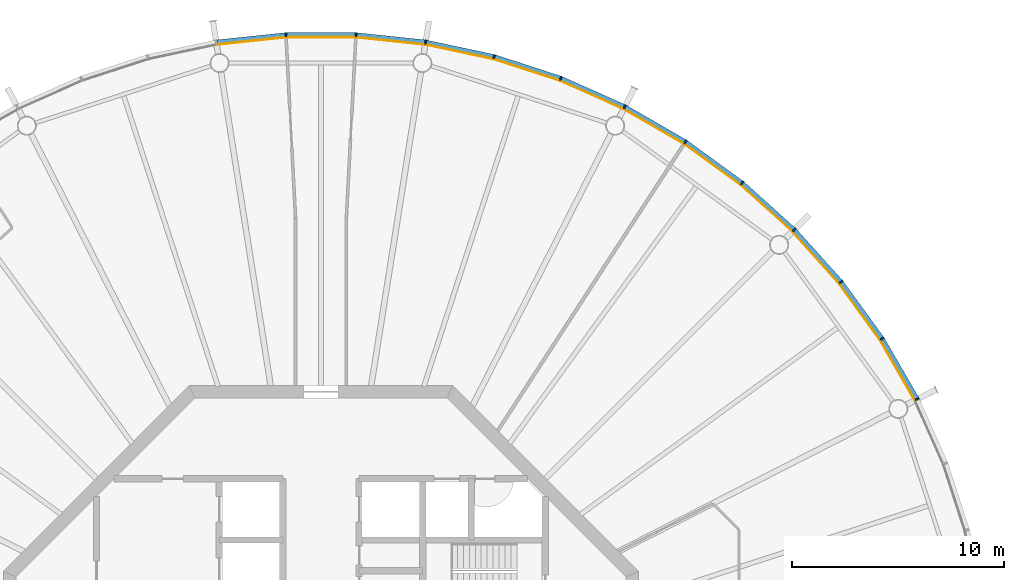
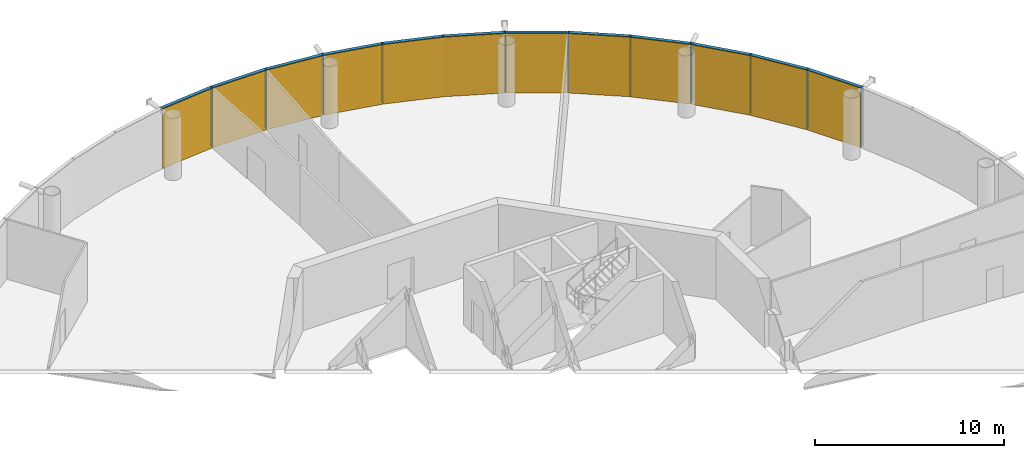
# One storey, part 17 of 18: 24 members, 4 curtain walls.
"""IFC4 building model written with IfcOpenShell, lengths in metres."""

from ifc_helpers import new_model, si_unit, direction, frame, origin, origin_2d, place, context, subcontext, project, spatial, polyline, rectangle, outline, extrude, material, layer, layer_set, material_profile, profile_set, type_object, element, aggregate, save


model = new_model("IFC4")

# Units and contexts
model_context = context("Model", 3, precision=1e-05, world=origin(), true_north=direction((0.0, 1.0)))
body_context = subcontext(model_context, "Body", "Model", "MODEL_VIEW")
ifc_project = project(units=[si_unit("LENGTHUNIT", "METRE"), si_unit("AREAUNIT", "SQUARE_METRE"), si_unit("VOLUMEUNIT", "CUBIC_METRE"), si_unit("PLANEANGLEUNIT", "RADIAN"), si_unit("MASSUNIT", "GRAM", prefix="KILO")], contexts=[model_context])

# Member
ifc_material_1 = material(Name="Anodised aluminium", Category="aluminium")
ifc_material_profile_1 = material_profile(ifc_material_1, rectangle(XDim=0.070068359375, YDim=0.205078125, at=origin_2d()), Name="Mullion 70 x 205 mm anodised aluminium")
ifc_profile_set_1 = profile_set([ifc_material_profile_1], Name="Anodised aluminium")
member_type_1 = type_object("IfcMemberType", Name="Mullion 70 x 205 mm anodised aluminium", PredefinedType="MULLION", material=ifc_profile_set_1)
site_placement = place(None, origin())
building_placement = place(site_placement, origin())
storey_placement = place(building_placement, frame((0.0, 0.0, 352.0)))
member_1_placement = place(storey_placement, frame((118.157958984375, 94.34716796875, 0.0), z_axis=(0.0, 0.0, 1.0), x_axis=(-0.45399049974, 0.891006524188, 0.0)))
member_1 = element("IfcMember", 1, at=member_1_placement, type_object=member_type_1, Name="MULLION L81-03", PredefinedType="MULLION", context=body_context, shape_type="SweptSolid", body=[
    extrude(rectangle(XDim=0.070068359375, YDim=0.205078125, at=origin_2d()), origin(), (0.0, 0.0, 1.0), 3.85009765625),
])

member_2_placement = place(storey_placement, frame((116.504150390625, 97.2119140625, 0.0), z_axis=(0.0, 0.0, 1.0), x_axis=(-0.544639035015, 0.838670567945, 0.0)))
member_2 = element("IfcMember", 2, at=member_2_placement, type_object=member_type_1, Name="MULLION L81-04", PredefinedType="MULLION", context=body_context, shape_type="SweptSolid", body=[
    extrude(rectangle(XDim=0.070068359375, YDim=0.205078125, at=origin_2d()), origin(), (0.0, 0.0, 1.0), 3.85009765625),
])

member_3_placement = place(storey_placement, frame((114.559814453125, 99.88818359375, 0.0), z_axis=(0.0, 0.0, 1.0), x_axis=(-0.62932039105, 0.777145961457, 0.0)))
member_3 = element("IfcMember", 3, at=member_3_placement, type_object=member_type_1, Name="MULLION L81-05", PredefinedType="MULLION", context=body_context, shape_type="SweptSolid", body=[
    extrude(rectangle(XDim=0.070068359375, YDim=0.205078125, at=origin_2d()), origin(), (0.0, 0.0, 1.0), 3.85009765625),
])

member_4_placement = place(storey_placement, frame((112.346435546875, 102.346435546875, 0.0), z_axis=(0.0, 0.0, 1.0), x_axis=(-0.707106781187, 0.707106781187, 0.0)))
member_4 = element("IfcMember", 4, at=member_4_placement, type_object=member_type_1, Name="MULLION L81-06", PredefinedType="MULLION", context=body_context, shape_type="SweptSolid", body=[
    extrude(rectangle(XDim=0.070068359375, YDim=0.205078125, at=origin_2d()), origin(), (0.0, 0.0, 1.0), 3.85009765625),
])

member_5_placement = place(storey_placement, frame((109.88818359375, 104.559814453125, 0.0), z_axis=(0.0, 0.0, 1.0), x_axis=(-0.777145961457, 0.62932039105, 0.0)))
member_5 = element("IfcMember", 5, at=member_5_placement, type_object=member_type_1, Name="MULLION L81-07", PredefinedType="MULLION", context=body_context, shape_type="SweptSolid", body=[
    extrude(rectangle(XDim=0.070068359375, YDim=0.205078125, at=origin_2d()), origin(), (0.0, 0.0, 1.0), 3.85009765625),
])

member_6_placement = place(storey_placement, frame((107.2119140625, 106.504150390625, 0.0), z_axis=(0.0, 0.0, 1.0), x_axis=(-0.838670567945, 0.544639035015, 0.0)))
member_6 = element("IfcMember", 6, at=member_6_placement, type_object=member_type_1, Name="MULLION L81-08", PredefinedType="MULLION", context=body_context, shape_type="SweptSolid", body=[
    extrude(rectangle(XDim=0.070068359375, YDim=0.205078125, at=origin_2d()), origin(), (0.0, 0.0, 1.0), 3.85009765625),
])

member_7_placement = place(storey_placement, frame((104.34716796875, 108.157958984375, 0.0), z_axis=(0.0, 0.0, 1.0), x_axis=(-0.891006524188, 0.45399049974, 0.0)))
member_7 = element("IfcMember", 7, at=member_7_placement, type_object=member_type_1, Name="MULLION L81-09", PredefinedType="MULLION", context=body_context, shape_type="SweptSolid", body=[
    extrude(rectangle(XDim=0.070068359375, YDim=0.205078125, at=origin_2d()), origin(), (0.0, 0.0, 1.0), 3.85009765625),
])

member_8_placement = place(storey_placement, frame((101.325439453125, 109.50341796875, 0.0), z_axis=(0.0, 0.0, 1.0), x_axis=(-0.933580426497, 0.358367949545, 0.0)))
member_8 = element("IfcMember", 8, at=member_8_placement, type_object=member_type_1, Name="MULLION L81-10", PredefinedType="MULLION", context=body_context, shape_type="SweptSolid", body=[
    extrude(rectangle(XDim=0.070068359375, YDim=0.205078125, at=origin_2d()), origin(), (0.0, 0.0, 1.0), 3.85009765625),
])

member_9_placement = place(storey_placement, frame((98.179443359375, 110.525634765625, 0.0), z_axis=(0.0, 0.0, 1.0), x_axis=(-0.965925826289, 0.258819045103, 0.0)))
member_9 = element("IfcMember", 9, at=member_9_placement, type_object=member_type_1, Name="MULLION L81-11", PredefinedType="MULLION", context=body_context, shape_type="SweptSolid", body=[
    extrude(rectangle(XDim=0.070068359375, YDim=0.205078125, at=origin_2d()), origin(), (0.0, 0.0, 1.0), 3.85009765625),
])

member_10_placement = place(storey_placement, frame((94.943603515625, 111.21337890625, 0.0), z_axis=(0.0, 0.0, 1.0), x_axis=(-0.987688340595, 0.15643446504, 0.0)))
member_10 = element("IfcMember", 10, at=member_10_placement, type_object=member_type_1, Name="MULLION L81-12", PredefinedType="MULLION", context=body_context, shape_type="SweptSolid", body=[
    extrude(rectangle(XDim=0.070068359375, YDim=0.205078125, at=origin_2d()), origin(), (0.0, 0.0, 1.0), 3.85009765625),
])

member_11_placement = place(storey_placement, frame((91.654052734375, 111.55908203125, 0.0), z_axis=(0.0, 0.0, 1.0), x_axis=(-0.998629534755, 0.052335956243, 0.0)))
member_11 = element("IfcMember", 11, at=member_11_placement, type_object=member_type_1, Name="MULLION L81-13", PredefinedType="MULLION", context=body_context, shape_type="SweptSolid", body=[
    extrude(rectangle(XDim=0.070068359375, YDim=0.205078125, at=origin_2d()), origin(), (0.0, 0.0, 1.0), 3.85009765625),
])

member_12_placement = place(storey_placement, frame((88.345947265625, 111.55908203125, 0.0), z_axis=(0.0, 0.0, 1.0), x_axis=(-0.998629534755, -0.052335956243, 0.0)))
member_12 = element("IfcMember", 12, at=member_12_placement, type_object=member_type_1, Name="MULLION L81-14", PredefinedType="MULLION", context=body_context, shape_type="SweptSolid", body=[
    extrude(rectangle(XDim=0.070068359375, YDim=0.205078125, at=origin_2d()), origin(), (0.0, 0.0, 1.0), 3.85009765625),
])

ifc_material_2 = material(Name="Anodised aluminium", Category="aluminium")
ifc_material_profile_2 = material_profile(ifc_material_2, rectangle(XDim=0.205078125, YDim=0.195068359375, at=origin_2d()), Name="Transom 195 x 205 mm anodised aluminium")
ifc_profile_set_2 = profile_set([ifc_material_profile_2], Name="Anodised aluminium")
member_type_2 = type_object("IfcMemberType", Name="Transom 195 x 205 mm anodised aluminium", PredefinedType="USERDEFINED", material=ifc_profile_set_2)
member_13_placement = place(storey_placement, frame((118.137939453125, 94.38232421875, 3.75244140625), z_axis=(-0.500004055213, 0.866023062494, 0.0), x_axis=(-0.866023062494, -0.500004055213, 0.0)))
member_13 = element("IfcMember", 13, at=member_13_placement, type_object=member_type_2, Name="TRANSOM L81-03", ObjectType="TRANSOM", PredefinedType="USERDEFINED", context=body_context, shape_type="SweptSolid", body=[
    extrude(rectangle(XDim=0.205078125, YDim=0.195068359375, at=origin_2d()), origin(), (0.0, 0.0, 1.0), 3.22705078125),
])

member_14_placement = place(storey_placement, frame((116.48046875, 97.24462890625, 3.75244140625), z_axis=(-0.587802790201, 0.809004252048, 0.0), x_axis=(-0.809004252048, -0.587802790201, 0.0)))
member_14 = element("IfcMember", 14, at=member_14_placement, type_object=member_type_2, Name="TRANSOM L81-04", ObjectType="TRANSOM", PredefinedType="USERDEFINED", context=body_context, shape_type="SweptSolid", body=[
    extrude(rectangle(XDim=0.205078125, YDim=0.195068359375, at=origin_2d()), origin(), (0.0, 0.0, 1.0), 3.227294921875),
])

member_15_placement = place(storey_placement, frame((114.532958984375, 99.918212890625, 3.75244140625), z_axis=(-0.669144438484, 0.743132370743, 0.0), x_axis=(-0.743132370743, -0.669144438484, 0.0)))
member_15 = element("IfcMember", 15, at=member_15_placement, type_object=member_type_2, Name="TRANSOM L81-05", ObjectType="TRANSOM", PredefinedType="USERDEFINED", context=body_context, shape_type="SweptSolid", body=[
    extrude(rectangle(XDim=0.205078125, YDim=0.195068359375, at=origin_2d()), origin(), (0.0, 0.0, 1.0), 3.22705078125),
])

member_16_placement = place(storey_placement, frame((112.31640625, 102.37353515625, 3.75244140625), z_axis=(-0.743132370743, 0.669144438484, 0.0), x_axis=(-0.669144438484, -0.743132370743, 0.0)))
member_16 = element("IfcMember", 16, at=member_16_placement, type_object=member_type_2, Name="TRANSOM L81-06", ObjectType="TRANSOM", PredefinedType="USERDEFINED", context=body_context, shape_type="SweptSolid", body=[
    extrude(rectangle(XDim=0.205078125, YDim=0.195068359375, at=origin_2d()), origin(), (0.0, 0.0, 1.0), 3.22705078125),
])

member_17_placement = place(storey_placement, frame((109.85546875, 104.58349609375, 3.75244140625), z_axis=(-0.809004252048, 0.587802790201, 0.0), x_axis=(-0.587802790201, -0.809004252048, 0.0)))
member_17 = element("IfcMember", 17, at=member_17_placement, type_object=member_type_2, Name="TRANSOM L81-07", ObjectType="TRANSOM", PredefinedType="USERDEFINED", context=body_context, shape_type="SweptSolid", body=[
    extrude(rectangle(XDim=0.205078125, YDim=0.195068359375, at=origin_2d()), origin(), (0.0, 0.0, 1.0), 3.227294921875),
])

member_18_placement = place(storey_placement, frame((107.177001953125, 106.5244140625, 3.75244140625), z_axis=(-0.866023062494, 0.500004055213, 0.0), x_axis=(-0.500004055213, -0.866023062494, 0.0)))
member_18 = element("IfcMember", 18, at=member_18_placement, type_object=member_type_2, Name="TRANSOM L81-08", ObjectType="TRANSOM", PredefinedType="USERDEFINED", context=body_context, shape_type="SweptSolid", body=[
    extrude(rectangle(XDim=0.205078125, YDim=0.195068359375, at=origin_2d()), origin(), (0.0, 0.0, 1.0), 3.22705078125),
])

member_19_placement = place(storey_placement, frame((104.310302734375, 108.174560546875, 3.75244140625), z_axis=(-0.913521178731, 0.406791170024, 0.0), x_axis=(-0.406791170024, -0.913521178731, 0.0)))
member_19 = element("IfcMember", 19, at=member_19_placement, type_object=member_type_2, Name="TRANSOM L81-09", ObjectType="TRANSOM", PredefinedType="USERDEFINED", context=body_context, shape_type="SweptSolid", body=[
    extrude(rectangle(XDim=0.205078125, YDim=0.195068359375, at=origin_2d()), origin(), (0.0, 0.0, 1.0), 3.22705078125),
])

member_20_placement = place(storey_placement, frame((101.286865234375, 109.51611328125, 3.75244140625), z_axis=(-0.951046855117, 0.309046726844, 0.0), x_axis=(-0.309046726844, -0.951046855117, 0.0)))
member_20 = element("IfcMember", 20, at=member_20_placement, type_object=member_type_2, Name="TRANSOM L81-10", ObjectType="TRANSOM", PredefinedType="USERDEFINED", context=body_context, shape_type="SweptSolid", body=[
    extrude(rectangle(XDim=0.205078125, YDim=0.195068359375, at=origin_2d()), origin(), (0.0, 0.0, 1.0), 3.22705078125),
])

member_21_placement = place(storey_placement, frame((98.139892578125, 110.5341796875, 3.75244140625), z_axis=(-0.978153082647, 0.207885898771, 0.0), x_axis=(-0.207885898771, -0.978153082647, 0.0)))
member_21 = element("IfcMember", 21, at=member_21_placement, type_object=member_type_2, Name="TRANSOM L81-11", ObjectType="TRANSOM", PredefinedType="USERDEFINED", context=body_context, shape_type="SweptSolid", body=[
    extrude(rectangle(XDim=0.205078125, YDim=0.195068359375, at=origin_2d()), origin(), (0.0, 0.0, 1.0), 3.227294921875),
])

member_22_placement = place(storey_placement, frame((94.903564453125, 111.2177734375, 3.75244140625), z_axis=(-0.994519537956, 0.104550890115, 0.0), x_axis=(-0.104550890115, -0.994519537956, 0.0)))
member_22 = element("IfcMember", 22, at=member_22_placement, type_object=member_type_2, Name="TRANSOM L81-12", ObjectType="TRANSOM", PredefinedType="USERDEFINED", context=body_context, shape_type="SweptSolid", body=[
    extrude(rectangle(XDim=0.205078125, YDim=0.195068359375, at=origin_2d()), origin(), (0.0, 0.0, 1.0), 3.22705078125),
])

member_23_placement = place(storey_placement, frame((91.613525390625, 111.559326171875, 3.75244140625), z_axis=(-1.0, 0.0, 0.0), x_axis=(0.0, -1.0, 0.0)))
member_23 = element("IfcMember", 23, at=member_23_placement, type_object=member_type_2, Name="TRANSOM L81-13", ObjectType="TRANSOM", PredefinedType="USERDEFINED", context=body_context, shape_type="SweptSolid", body=[
    extrude(rectangle(XDim=0.205078125, YDim=0.195068359375, at=origin_2d()), origin(), (0.0, 0.0, 1.0), 3.22705078125),
])

member_24_placement = place(storey_placement, frame((88.305908203125, 111.55517578125, 3.75244140625), z_axis=(-0.994519537956, -0.104550890115, 0.0), x_axis=(0.104550890115, -0.994519537956, 0.0)))
member_24 = element("IfcMember", 24, at=member_24_placement, type_object=member_type_2, Name="TRANSOM L81-14", ObjectType="TRANSOM", PredefinedType="USERDEFINED", context=body_context, shape_type="SweptSolid", body=[
    extrude(rectangle(XDim=0.205078125, YDim=0.195068359375, at=origin_2d()), origin(), (0.0, 0.0, 1.0), 3.22705078125),
])

# Site, building, storey
site = spatial("IfcSite", under=ifc_project, at=site_placement, CompositionType="ELEMENT")
building = spatial("IfcBuilding", under=site, at=building_placement, Name="Entoto Ring Tower", CompositionType="ELEMENT")
storey = spatial("IfcBuildingStorey", under=building, at=storey_placement, Name="L81", CompositionType="ELEMENT", Elevation=352.0)

# Curtain wall
ifc_material_3 = material(Name="Clear low-iron glass", Category="glass")
ifc_layer = layer(ifc_material_3, 0.035888671875)
ifc_layer_set = layer_set([ifc_layer], Name="Clear low-iron glass")
curtain_wall_type = type_object("IfcCurtainWallType", Name="Curtain wall system CW6 glazing 36 mm", PredefinedType="NOTDEFINED", material=ifc_layer_set)
curtain_wall_1_placement = place(storey_placement, origin())
curtain_wall_1 = element("IfcCurtainWall", 25, at=curtain_wall_1_placement, inside=storey, type_object=curtain_wall_type, Name="CW6 L81-02", PredefinedType="NOTDEFINED", context=body_context, shape_type="SweptSolid", body=[
    extrude(outline(polyline([(118.066650390625, 94.30078125), (116.418212890625, 97.15625), (114.47998046875, 99.823486328125), (112.27392578125, 102.27392578125), (112.248291015625, 102.248291015625), (114.4521484375, 99.801025390625), (116.387939453125, 97.136474609375), (118.03466796875, 94.284423828125), (118.066650390625, 94.30078125)])), origin(), (0.0, 0.0, 1.0), 3.85009765625),
])

aggregate(curtain_wall_1, [member_1, member_2, member_3, member_13, member_14, member_15])

curtain_wall_2_placement = place(storey_placement, origin())
curtain_wall_2 = element("IfcCurtainWall", 26, at=curtain_wall_2_placement, inside=storey, type_object=curtain_wall_type, Name="CW6 L81-03", PredefinedType="NOTDEFINED", context=body_context, shape_type="SweptSolid", body=[
    extrude(outline(polyline([(112.27392578125, 102.27392578125), (109.823486328125, 104.47998046875), (107.15625, 106.418212890625), (104.30078125, 108.066650390625), (104.284423828125, 108.03466796875), (107.136474609375, 106.387939453125), (109.801025390625, 104.4521484375), (112.248291015625, 102.248291015625), (112.27392578125, 102.27392578125)])), origin(), (0.0, 0.0, 1.0), 3.85009765625),
])

aggregate(curtain_wall_2, [member_4, member_5, member_6, member_16, member_17, member_18])

curtain_wall_3_placement = place(storey_placement, origin())
curtain_wall_3 = element("IfcCurtainWall", 27, at=curtain_wall_3_placement, inside=storey, type_object=curtain_wall_type, Name="CW6 L81-04", PredefinedType="NOTDEFINED", context=body_context, shape_type="SweptSolid", body=[
    extrude(outline(polyline([(104.30078125, 108.066650390625), (101.28857421875, 109.40771484375), (98.15283203125, 110.4267578125), (94.927734375, 111.1123046875), (94.922119140625, 111.07666015625), (98.1435546875, 110.391845703125), (101.275634765625, 109.3740234375), (104.284423828125, 108.03466796875), (104.30078125, 108.066650390625)])), origin(), (0.0, 0.0, 1.0), 3.85009765625),
])

aggregate(curtain_wall_3, [member_7, member_8, member_9, member_19, member_20, member_21])

curtain_wall_4_placement = place(storey_placement, origin())
curtain_wall_4 = element("IfcCurtainWall", 28, at=curtain_wall_4_placement, inside=storey, type_object=curtain_wall_type, Name="CW6 L81-05", PredefinedType="NOTDEFINED", context=body_context, shape_type="SweptSolid", body=[
    extrude(outline(polyline([(94.927734375, 111.1123046875), (91.648681640625, 111.456787109375), (88.351318359375, 111.456787109375), (85.072265625, 111.1123046875), (85.077880859375, 111.07666015625), (88.353271484375, 111.4208984375), (91.646728515625, 111.4208984375), (94.922119140625, 111.07666015625), (94.927734375, 111.1123046875)])), origin(), (0.0, 0.0, 1.0), 3.85009765625),
])

aggregate(curtain_wall_4, [member_10, member_11, member_12, member_22, member_23, member_24])

save(model, "model.ifc")
